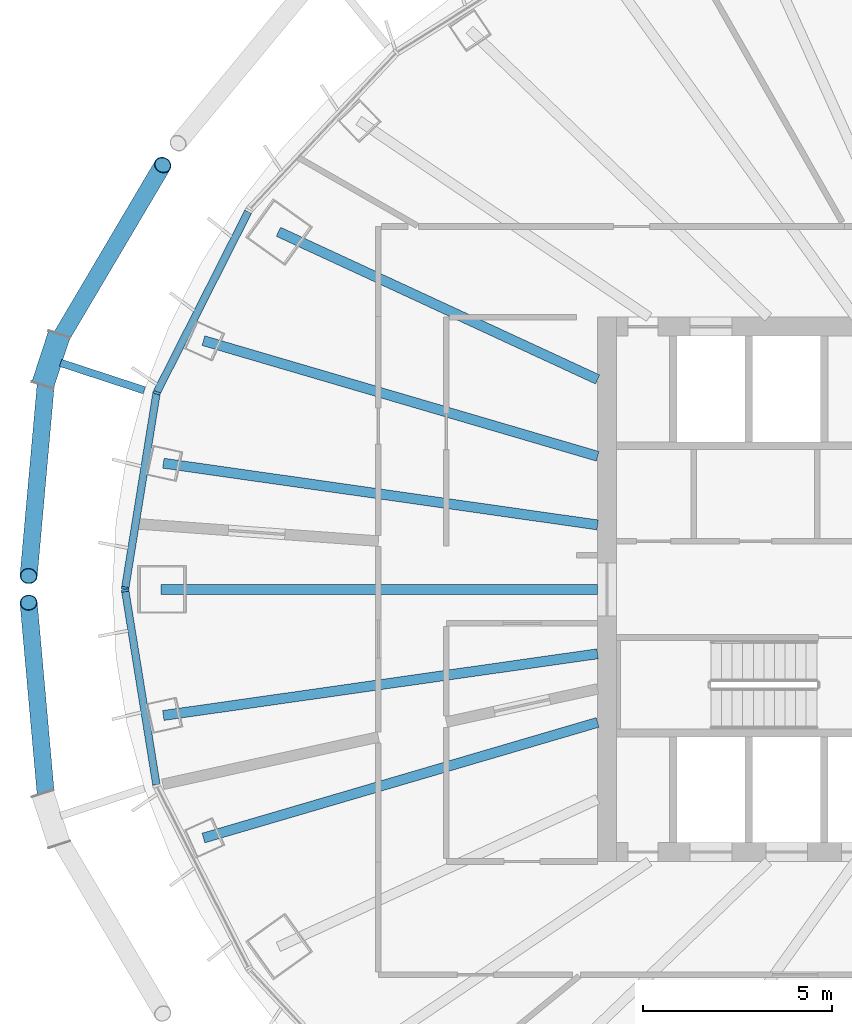
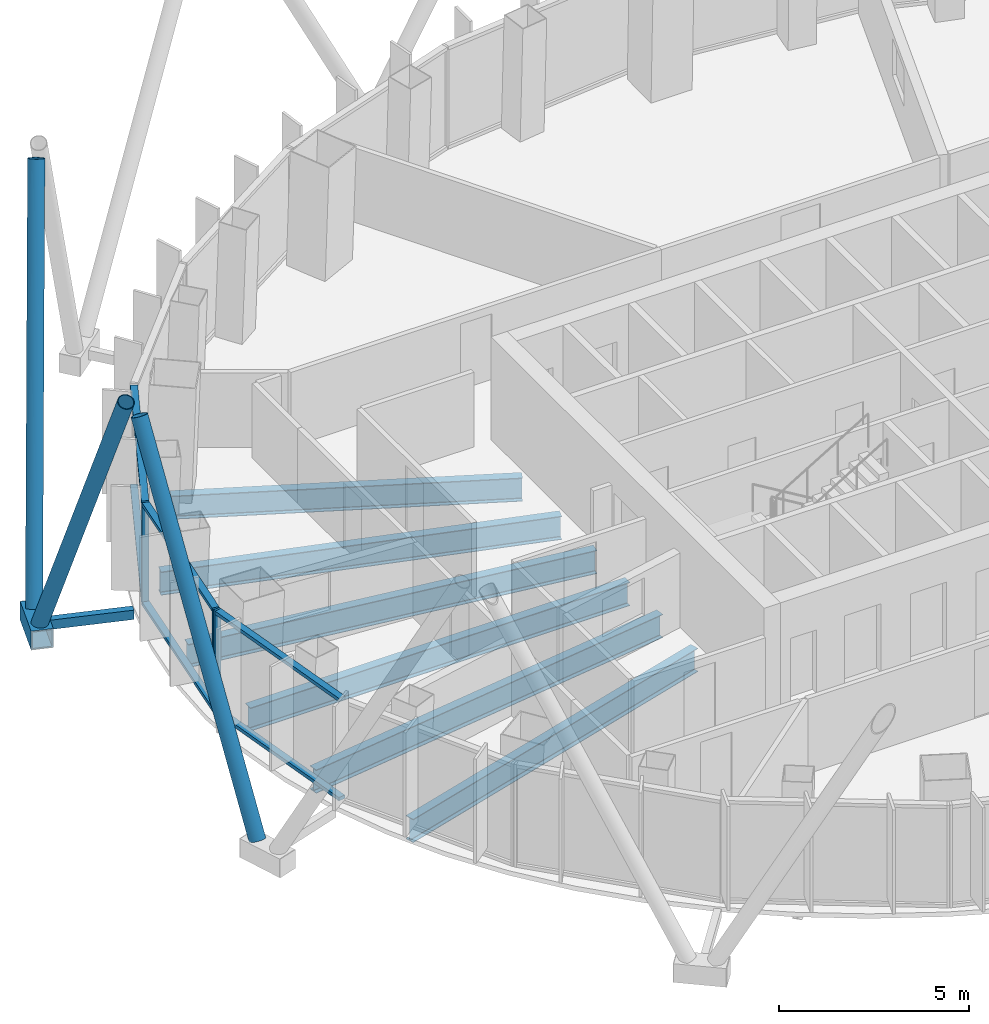
# One storey, part 3 of 18: 14 members, 6 beams, 2 elements without a shape of their own.
"""IFC4 building model written with IfcOpenShell, lengths in metres."""

from ifc_helpers import new_model, si_unit, direction, frame, origin, origin_2d, place, context, subcontext, project, spatial, rectangle, hollow_rectangle, hollow_circle, i_section, extrude, material, layer, layer_set, material_profile, profile_set, type_object, element, aggregate, save


model = new_model("IFC4")

# Units and contexts
model_context = context("Model", 3, precision=1e-05, world=origin(), true_north=direction((0.0, 1.0)))
body_context = subcontext(model_context, "Body", "Model", "MODEL_VIEW")
ifc_project = project(units=[si_unit("LENGTHUNIT", "METRE"), si_unit("AREAUNIT", "SQUARE_METRE"), si_unit("VOLUMEUNIT", "CUBIC_METRE"), si_unit("PLANEANGLEUNIT", "RADIAN"), si_unit("MASSUNIT", "GRAM", prefix="KILO")], contexts=[model_context])

# Site, building, storey
site_placement = place(None, origin())
site = spatial("IfcSite", under=ifc_project, at=site_placement, CompositionType="ELEMENT")
building_placement = place(site_placement, origin())
building = spatial("IfcBuilding", under=site, at=building_placement, Name="Siaravel Broadcast Tower", CompositionType="ELEMENT")
storey_placement = place(building_placement, frame((0.0, 0.0, 141.5)))
storey = spatial("IfcBuildingStorey", under=building, at=storey_placement, Name="L34", CompositionType="ELEMENT", Elevation=141.5)

# Beams
ifc_material_1 = material(Name="Steel S355", Category="steel")
ifc_material_profile_1 = material_profile(ifc_material_1, i_section(OverallWidth=0.26513671875, OverallDepth=0.75390625, WebThickness=0.0126953125, FlangeThickness=0.017578125, FilletRadius=0.0166015625, at=origin_2d()))
ifc_profile_set_1 = profile_set([ifc_material_profile_1], Name="Steel S355")
beam_type = type_object("IfcBeamType", Name="BM-UB 762x267x147", PredefinedType="BEAM", material=ifc_profile_set_1)
beam_1_placement = place(storey_placement, frame((-20.444091796875, 9.459716796875, -0.52685546875), z_axis=(0.907551921, -0.419939889, 0.0), x_axis=(0.419939889, 0.907551921, 0.0)))
element("IfcBeam", 1, at=beam_1_placement, inside=storey, type_object=beam_type, Name="Radial beam RB16", PredefinedType="BEAM", context=body_context, shape_type="SweptSolid", body=[
    extrude(i_section(OverallWidth=0.26513671875, OverallDepth=0.75390625, WebThickness=0.0126953125, FlangeThickness=0.017578125, FilletRadius=0.0166015625, at=origin_2d()), origin(), (0.0, 0.0, 1.0), 9.30419921875),
])
beam_2_placement = place(storey_placement, frame((-22.427490234375, 6.57958984375, -0.52685546875), z_axis=(0.959560243, -0.281503356, 0.0), x_axis=(0.281503356, 0.959560243, 0.0)))
element("IfcBeam", 2, at=beam_2_placement, inside=storey, type_object=beam_type, Name="Radial beam RB17", PredefinedType="BEAM", context=body_context, shape_type="SweptSolid", body=[
    extrude(i_section(OverallWidth=0.26513671875, OverallDepth=0.75390625, WebThickness=0.0126953125, FlangeThickness=0.017578125, FilletRadius=0.0166015625, at=origin_2d()), origin(), (0.0, 0.0, 1.0), 10.866943359375),
])
beam_3_placement = place(storey_placement, frame((-23.48828125, 3.337158203125, -0.52685546875), z_axis=(0.990056094, -0.140673135, 0.0), x_axis=(0.140673135, 0.990056094, 0.0)))
element("IfcBeam", 3, at=beam_3_placement, inside=storey, type_object=beam_type, Name="Radial beam RB18", PredefinedType="BEAM", context=body_context, shape_type="SweptSolid", body=[
    extrude(i_section(OverallWidth=0.26513671875, OverallDepth=0.75390625, WebThickness=0.0126953125, FlangeThickness=0.017578125, FilletRadius=0.0166015625, at=origin_2d()), origin(), (0.0, 0.0, 1.0), 11.603759765625),
])
beam_4_placement = place(storey_placement, frame((-23.544921875, 0.0, -0.52685546875), z_axis=(1.0, 0.0, 0.0), x_axis=(0.0, 1.0, 0.0)))
element("IfcBeam", 4, at=beam_4_placement, inside=storey, type_object=beam_type, Name="Radial beam RB19", PredefinedType="BEAM", context=body_context, shape_type="SweptSolid", body=[
    extrude(i_section(OverallWidth=0.26513671875, OverallDepth=0.75390625, WebThickness=0.0126953125, FlangeThickness=0.017578125, FilletRadius=0.0166015625, at=origin_2d()), origin(), (0.0, 0.0, 1.0), 11.544921875),
])
beam_5_placement = place(storey_placement, frame((-23.48828125, -3.337158203125, -0.52685546875), z_axis=(0.990056094, 0.140673135, 0.0), x_axis=(-0.140673135, 0.990056094, 0.0)))
element("IfcBeam", 5, at=beam_5_placement, inside=storey, type_object=beam_type, Name="Radial beam RB20", PredefinedType="BEAM", context=body_context, shape_type="SweptSolid", body=[
    extrude(i_section(OverallWidth=0.26513671875, OverallDepth=0.75390625, WebThickness=0.0126953125, FlangeThickness=0.017578125, FilletRadius=0.0166015625, at=origin_2d()), origin(), (0.0, 0.0, 1.0), 11.603759765625),
])
beam_6_placement = place(storey_placement, frame((-22.427490234375, -6.57958984375, -0.52685546875), z_axis=(0.959560243, 0.281503356, 0.0), x_axis=(-0.281503356, 0.959560243, 0.0)))
element("IfcBeam", 6, at=beam_6_placement, inside=storey, type_object=beam_type, Name="Radial beam RB21", PredefinedType="BEAM", context=body_context, shape_type="SweptSolid", body=[
    extrude(i_section(OverallWidth=0.26513671875, OverallDepth=0.75390625, WebThickness=0.0126953125, FlangeThickness=0.017578125, FilletRadius=0.0166015625, at=origin_2d()), origin(), (0.0, 0.0, 1.0), 10.866943359375),
])

# Curtain wall, members
ifc_material_2 = material(Name="Aluminium 6063-T6", Category="aluminium")
ifc_layer = layer(ifc_material_2, 0.199951171875)
ifc_layer_set = layer_set([ifc_layer], Name="Aluminium 6063-T6")
curtain_wall_type = type_object("IfcCurtainWallType", Name="Unitised curtain wall, zone 2", PredefinedType="NOTDEFINED", material=ifc_layer_set)
curtain_wall_1_placement = place(storey_placement, origin())
curtain_wall_1 = element("IfcCurtainWall", 7, at=curtain_wall_1_placement, inside=storey, type_object=curtain_wall_type, Name="L34 Unitised curtain wall, zone 2 06", PredefinedType="NOTDEFINED")
ifc_material_profile_2 = material_profile(ifc_material_2, rectangle(XDim=0.199951171875, YDim=0.06494140625, at=origin_2d()))
ifc_profile_set_2 = profile_set([ifc_material_profile_2], Name="Aluminium 6063-T6")
member_type_1 = type_object("IfcMemberType", Name="CW-Z2 mullion", PredefinedType="MULLION", material=ifc_profile_set_2)
member_1_placement = place(storey_placement, frame((-23.6669921875, 5.19970703125, 0.0), z_axis=(0.0, 0.0, 1.0), x_axis=(0.951177322, -0.308644947, 0.0)))
member_1 = element("IfcMember", 8, at=member_1_placement, type_object=member_type_1, Name="CW-Z2 mullion 2", PredefinedType="MULLION", context=body_context, shape_type="SweptSolid", body=[
    extrude(rectangle(XDim=0.199951171875, YDim=0.06494140625, at=origin_2d()), origin(), (0.0, 0.0, 1.0), 3.300048828125),
])
member_2_placement = place(storey_placement, frame((-24.49755859375, 0.031982421875, 0.0), z_axis=(0.0, 0.0, 1.0), x_axis=(0.987329211, -0.158685314, 0.0)))
member_2 = element("IfcMember", 9, at=member_2_placement, type_object=member_type_1, Name="CW-Z2 mullion 3", PredefinedType="MULLION", context=body_context, shape_type="SweptSolid", body=[
    extrude(rectangle(XDim=0.199951171875, YDim=0.06494140625, at=origin_2d()), origin(), (0.0, 0.0, 1.0), 3.300048828125),
])

# Curtain wall, member
curtain_wall_2_placement = place(storey_placement, origin())
curtain_wall_2 = element("IfcCurtainWall", 10, at=curtain_wall_2_placement, inside=storey, type_object=curtain_wall_type, Name="L34 Unitised curtain wall, zone 2 07", PredefinedType="NOTDEFINED")
member_3_placement = place(storey_placement, frame((-24.49755859375, -0.031982421875, 0.0), z_axis=(0.0, 0.0, 1.0), x_axis=(0.987329211, 0.158685314, 0.0)))
member_3 = element("IfcMember", 11, at=member_3_placement, type_object=member_type_1, Name="CW-Z2 mullion 1", PredefinedType="MULLION", context=body_context, shape_type="SweptSolid", body=[
    extrude(rectangle(XDim=0.199951171875, YDim=0.06494140625, at=origin_2d()), origin(), (0.0, 0.0, 1.0), 3.300048828125),
])

# Member
ifc_material_profile_3 = material_profile(ifc_material_2, rectangle(XDim=0.199951171875, YDim=0.110107421875, at=origin_2d()))
ifc_profile_set_3 = profile_set([ifc_material_profile_3], Name="Aluminium 6063-T6")
member_type_2 = type_object("IfcMemberType", Name="CW-Z2 transom", PredefinedType="USERDEFINED", material=ifc_profile_set_3)
member_4_placement = place(storey_placement, frame((-21.246826171875, 9.985595703125, 0.054931640625), z_axis=(-0.451257646, -0.892393712, 0.0), x_axis=(0.892393712, -0.451257646, 0.0)))
member_4 = element("IfcMember", 12, at=member_4_placement, type_object=member_type_2, Name="CW-Z2 transom 1", ObjectType="TRANSOM", PredefinedType="USERDEFINED", context=body_context, shape_type="SweptSolid", body=[
    extrude(rectangle(XDim=0.199951171875, YDim=0.110107421875, at=origin_2d()), origin(), (0.0, 0.0, 1.0), 5.330810546875),
])

member_5_placement = place(storey_placement, frame((-21.246826171875, 9.985595703125, 3.2451171875), z_axis=(-0.451257646, -0.892393712, 0.0), x_axis=(0.892393712, -0.451257646, 0.0)))
member_5 = element("IfcMember", 13, at=member_5_placement, type_object=member_type_2, Name="CW-Z2 transom 1", ObjectType="TRANSOM", PredefinedType="USERDEFINED", context=body_context, shape_type="SweptSolid", body=[
    extrude(rectangle(XDim=0.199951171875, YDim=0.110107421875, at=origin_2d()), origin(), (0.0, 0.0, 1.0), 5.330810546875),
])

member_6_placement = place(storey_placement, frame((-23.67236328125, 5.16748046875, 0.054931640625), z_axis=(-0.158659184, -0.98733341, 0.0), x_axis=(0.98733341, -0.158659184, 0.0)))
member_6 = element("IfcMember", 14, at=member_6_placement, type_object=member_type_2, Name="CW-Z2 transom 2", ObjectType="TRANSOM", PredefinedType="USERDEFINED", context=body_context, shape_type="SweptSolid", body=[
    extrude(rectangle(XDim=0.199951171875, YDim=0.110107421875, at=origin_2d()), origin(), (0.0, 0.0, 1.0), 5.168701171875),
])

member_7_placement = place(storey_placement, frame((-23.67236328125, 5.16748046875, 3.2451171875), z_axis=(-0.158659184, -0.98733341, 0.0), x_axis=(0.98733341, -0.158659184, 0.0)))
member_7 = element("IfcMember", 15, at=member_7_placement, type_object=member_type_2, Name="CW-Z2 transom 2", ObjectType="TRANSOM", PredefinedType="USERDEFINED", context=body_context, shape_type="SweptSolid", body=[
    extrude(rectangle(XDim=0.199951171875, YDim=0.110107421875, at=origin_2d()), origin(), (0.0, 0.0, 1.0), 5.168701171875),
])

aggregate(curtain_wall_1, [member_1, member_2, member_4, member_5, member_6, member_7])

member_8_placement = place(storey_placement, frame((-24.492431640625, -0.064208984375, 0.054931640625), z_axis=(0.158659184, -0.98733341, 0.0), x_axis=(0.98733341, 0.158659184, 0.0)))
member_8 = element("IfcMember", 16, at=member_8_placement, type_object=member_type_2, Name="CW-Z2 transom 1", ObjectType="TRANSOM", PredefinedType="USERDEFINED", context=body_context, shape_type="SweptSolid", body=[
    extrude(rectangle(XDim=0.199951171875, YDim=0.110107421875, at=origin_2d()), origin(), (0.0, 0.0, 1.0), 5.168701171875),
])

member_9_placement = place(storey_placement, frame((-24.492431640625, -0.064208984375, 3.2451171875), z_axis=(0.158659184, -0.98733341, 0.0), x_axis=(0.98733341, 0.158659184, 0.0)))
member_9 = element("IfcMember", 17, at=member_9_placement, type_object=member_type_2, Name="CW-Z2 transom 1", ObjectType="TRANSOM", PredefinedType="USERDEFINED", context=body_context, shape_type="SweptSolid", body=[
    extrude(rectangle(XDim=0.199951171875, YDim=0.110107421875, at=origin_2d()), origin(), (0.0, 0.0, 1.0), 5.168701171875),
])

aggregate(curtain_wall_2, [member_3, member_8, member_9])

# Members
ifc_material_3 = material(Name="Steel S460", Category="steel")
ifc_material_profile_4 = material_profile(ifc_material_3, hollow_circle(Radius=0.228515625, WallThickness=0.02001953125, at=origin_2d()))
ifc_profile_set_4 = profile_set([ifc_material_profile_4], Name="Steel S460")
member_type_3 = type_object("IfcMemberType", Name="Diagrid diagonal CHS 457x20", PredefinedType="BRACE", material=ifc_profile_set_4)
member_10_placement = place(storey_placement, frame((-26.3525390625, 6.40771484375, 0.070068359375), z_axis=(0.238312597, 0.403125389, 0.883570612), x_axis=(-0.860830986, 0.508890964, 0.0)))
element("IfcMember", 18, at=member_10_placement, inside=storey, type_object=member_type_3, Name="Diagrid diagonal R14 station 33C", PredefinedType="BRACE", context=body_context, shape_type="SweptSolid", body=[
    extrude(hollow_circle(Radius=0.228515625, WallThickness=0.02001953125, at=origin_2d()), origin(), (0.0, 0.0, 1.0), 11.951416015625),
])
for number, where, z_axis, x_axis, name in (
    (19, (-26.57080078125, 5.739990234375, 0.070068359375), (-0.04061787, -0.454162929, 0.88999226), (0.996024561, -0.089079036, 0.0), "Diagrid diagonal R14 station 33A"),
    (20, (-26.57080078125, -5.739990234375, 0.070068359375), (-0.04061787, 0.454162929, 0.88999226), (-0.996024561, -0.089079036, 0.0), "Diagrid diagonal R14 station 39C"),
):
    element("IfcMember", number, at=place(storey_placement, frame(where, z_axis=z_axis, x_axis=x_axis)), inside=storey, type_object=member_type_3, Name=name, PredefinedType="BRACE", context=body_context, shape_type="SweptSolid", body=[
        extrude(hollow_circle(Radius=0.228515625, WallThickness=0.02001953125, at=origin_2d()), origin(), (0.0, 0.0, 1.0), 11.864990234375),
    ])
ifc_material_profile_5 = material_profile(ifc_material_3, hollow_rectangle(XDim=0.60009765625, YDim=0.60009765625, WallThickness=0.0400390625, at=origin_2d()))
ifc_profile_set_5 = profile_set([ifc_material_profile_5], Name="Steel S460")
member_type_4 = type_object("IfcMemberType", Name="Diagrid node BOX 600x600x40", PredefinedType="USERDEFINED", material=ifc_profile_set_5)
member_11_placement = place(storey_placement, frame((-26.244140625, 6.739013671875, -0.199951171875), z_axis=(-0.310832801, -0.950464607, 0.0), x_axis=(0.950464607, -0.310832801, 0.0)))
element("IfcMember", 21, at=member_11_placement, inside=storey, type_object=member_type_4, Name="Diagrid node R14 station 33", ObjectType="DIAGRID NODE", PredefinedType="USERDEFINED", context=body_context, shape_type="SweptSolid", body=[
    extrude(hollow_rectangle(XDim=0.60009765625, YDim=0.60009765625, WallThickness=0.0400390625, at=origin_2d()), origin(), (0.0, 0.0, 1.0), 1.399658203125),
])
ifc_material_profile_6 = material_profile(ifc_material_3, hollow_rectangle(XDim=0.199951171875, YDim=0.300048828125, WallThickness=0.012451171875, at=origin_2d()))
ifc_profile_set_6 = profile_set([ifc_material_profile_6], Name="Steel S460")
member_type_5 = type_object("IfcMemberType", Name="Diagrid node arm RHS 300x200x12.5", PredefinedType="STRUT", material=ifc_profile_set_6)
member_12_placement = place(storey_placement, frame((-23.990478515625, 5.265380859375, -0.199951171875), z_axis=(-0.950418526, 0.310973673, 0.0), x_axis=(-0.310973673, -0.950418526, 0.0)))
element("IfcMember", 22, at=member_12_placement, inside=storey, type_object=member_type_5, Name="Node arm R14 station 33", PredefinedType="STRUT", context=body_context, shape_type="SweptSolid", body=[
    extrude(hollow_rectangle(XDim=0.199951171875, YDim=0.300048828125, WallThickness=0.012451171875, at=origin_2d()), origin(), (0.0, 0.0, 1.0), 2.330078125),
])

save(model, "model.ifc")
